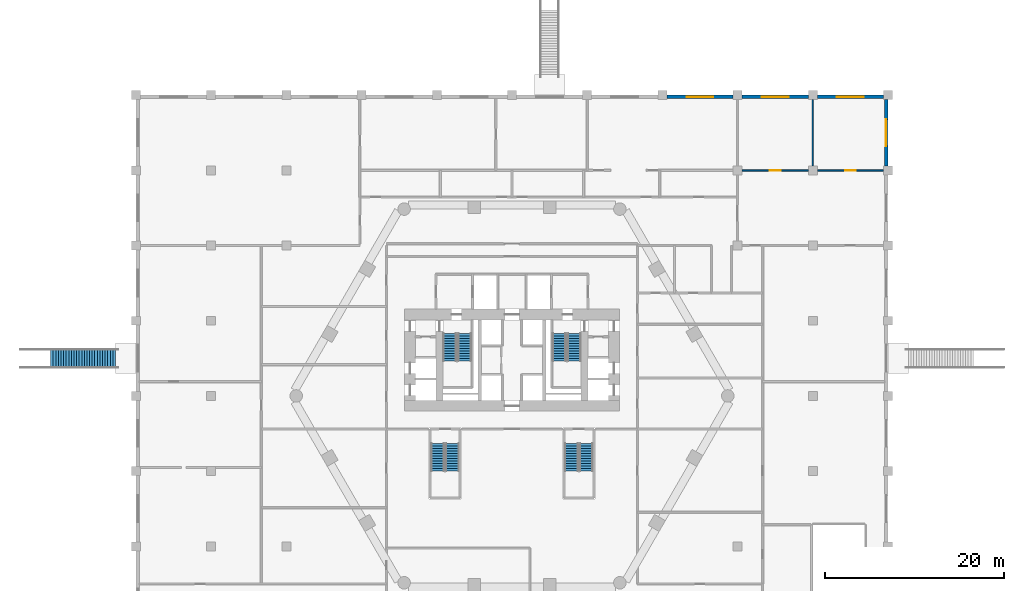
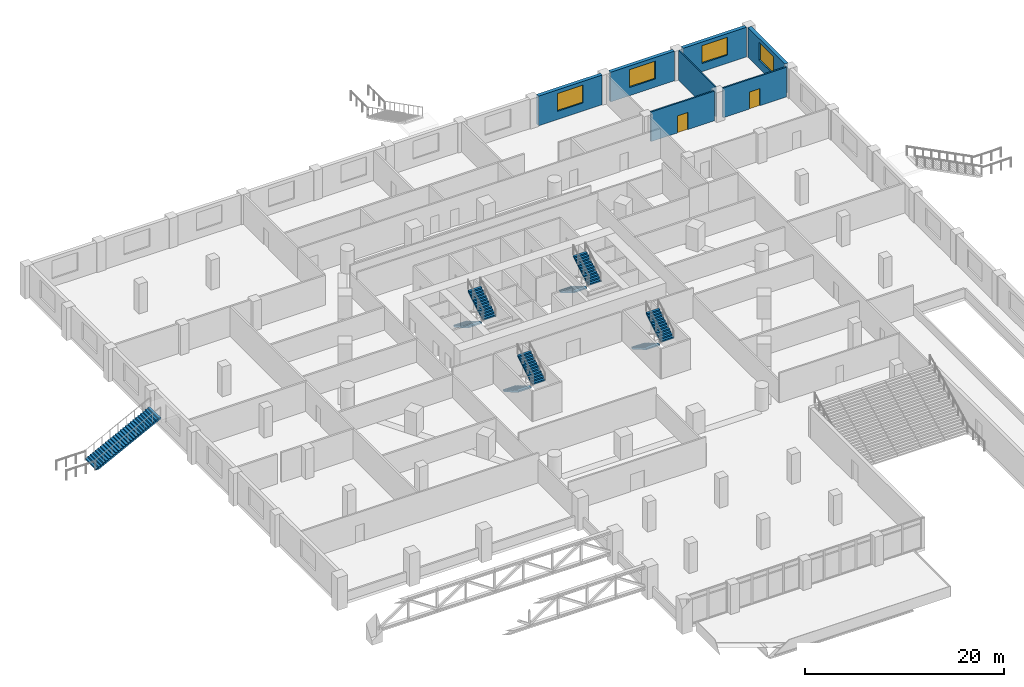
# One storey, part 17 of 24: 9 stair flights, 7 walls, 4 windows, 2 doors, 6 openings, 5 elements without a shape of their own.
"""IFC4 building model written with IfcOpenShell, lengths in metres."""

from ifc_helpers import new_model, si_unit, direction, frame, frame_2d, origin, place, context, subcontext, project, spatial, polyline, rectangle, outline, extrude, material, layer, layer_set, type_object, element, fill, aggregate, save


model = new_model("IFC4")

# Units and contexts
model_context = context("Model", 3, precision=1e-05, world=origin(), true_north=direction((0.0, 1.0)))
body_context = subcontext(model_context, "Body", "Model", "MODEL_VIEW")
ifc_project = project(units=[si_unit("LENGTHUNIT", "METRE"), si_unit("AREAUNIT", "SQUARE_METRE"), si_unit("VOLUMEUNIT", "CUBIC_METRE"), si_unit("PLANEANGLEUNIT", "RADIAN"), si_unit("MASSUNIT", "GRAM", prefix="KILO")], contexts=[model_context])

# Site, building, storey
site_placement = place(None, origin())
site = spatial("IfcSite", under=ifc_project, at=site_placement, CompositionType="ELEMENT")
building_placement = place(site_placement, origin())
building = spatial("IfcBuilding", under=site, at=building_placement, Name="Ostrander Bayou Hotel Tower", CompositionType="ELEMENT")
storey_placement = place(building_placement, frame((0.0, 0.0, 6.0)))
storey = spatial("IfcBuildingStorey", under=building, at=storey_placement, Name="L01", CompositionType="ELEMENT", Elevation=6.0)

# Wall, opening, door
ifc_material_1 = material(Name="Gypsum board partition", Category="finish")
ifc_layer_1 = layer(ifc_material_1, 0.175048828125)
ifc_layer_set_1 = layer_set([ifc_layer_1], Name="PT4 corridor wall 175 mm, 1 hour")
wall_type_1 = type_object("IfcWallType", Name="PT4 corridor wall 175 mm, 1 hour", PredefinedType="PARTITIONING", material=ifc_layer_set_1)
wall_1_placement = place(storey_placement, frame((25.699951171875, 25.199951171875, 0.0), z_axis=(0.0, 0.0, 1.0), x_axis=(1.0, 0.0, 0.0)))
wall_1 = element("IfcWall", 1, at=wall_1_placement, inside=storey, type_object=wall_type_1, Name="sw:L01:015", PredefinedType="PARTITIONING", context=body_context, shape_type="SweptSolid", body=[
    extrude(rectangle(XDim=7.400146484375, YDim=0.175048828125, at=frame_2d((3.7001953125, 0.0))), origin(), (0.0, 0.0, 1.0), 3.64990234375),
])
opening_1_placement = place(wall_1_placement, frame((3.10009765625, 0.0, 0.0)))
opening_1 = element("IfcOpeningElement", 2, at=opening_1_placement, cuts=wall_1, Name="Opening T01-233", PredefinedType="OPENING", context=body_context, shape_type="SweptSolid", body=[
    extrude(rectangle(XDim=1.199951171875, YDim=2.10009765625, at=frame_2d((0.60009765625, 1.050048828125))), frame((0.0, 0.08740234375, 0.0), z_axis=(0.0, -1.0, 0.0), x_axis=(1.0, 0.0, 0.0)), (0.0, 0.0, 1.0), 0.175048828125),
])
ifc_material_2 = material(Name="Timber door leaf", Category="wood")
door_type = type_object("IfcDoorType", Name="D10 plant room door 1200 x 2100 mm, 1 hour", OperationType="SINGLE_SWING_LEFT", PredefinedType="DOOR", material=ifc_material_2)
door_1_placement = place(opening_1_placement, origin())
door_1 = element("IfcDoor", 3, at=door_1_placement, inside=storey, type_object=door_type, Name="dr:L01:233", OperationType="SINGLE_SWING_LEFT", OverallHeight=2.10009765625, OverallWidth=1.199951171875, PredefinedType="DOOR", context=body_context, shape_type="SweptSolid", body=[
    extrude(rectangle(XDim=1.199951171875, YDim=2.10009765625, at=frame_2d((0.60009765625, 1.050048828125))), frame((0.0, 0.02490234375, 0.0), z_axis=(0.0, -1.0, 0.0), x_axis=(1.0, 0.0, 0.0)), (0.0, 0.0, 1.0), 0.050048828125),
])
fill(opening_1, door_1)

wall_2_placement = place(storey_placement, frame((34.10009765625, 25.199951171875, 0.0), z_axis=(0.0, 0.0, 1.0), x_axis=(1.0, 0.0, 0.0)))
wall_2 = element("IfcWall", 4, at=wall_2_placement, inside=storey, type_object=wall_type_1, Name="sw:L01:016", PredefinedType="PARTITIONING", context=body_context, shape_type="SweptSolid", body=[
    extrude(rectangle(XDim=7.39990234375, YDim=0.175048828125, at=frame_2d((3.699951171875, 0.0))), origin(), (0.0, 0.0, 1.0), 3.64990234375),
])
opening_2_placement = place(wall_2_placement, frame((3.10009765625, 0.0, 0.0)))
opening_2 = element("IfcOpeningElement", 5, at=opening_2_placement, cuts=wall_2, Name="Opening T01-234", PredefinedType="OPENING", context=body_context, shape_type="SweptSolid", body=[
    extrude(rectangle(XDim=1.199951171875, YDim=2.10009765625, at=frame_2d((0.60009765625, 1.050048828125))), frame((0.0, 0.08740234375, 0.0), z_axis=(0.0, -1.0, 0.0), x_axis=(1.0, 0.0, 0.0)), (0.0, 0.0, 1.0), 0.175048828125),
])
door_2_placement = place(opening_2_placement, origin())
door_2 = element("IfcDoor", 6, at=door_2_placement, inside=storey, type_object=door_type, Name="dr:L01:234", OperationType="SINGLE_SWING_RIGHT", OverallHeight=2.10009765625, OverallWidth=1.199951171875, PredefinedType="DOOR", context=body_context, shape_type="SweptSolid", body=[
    extrude(rectangle(XDim=1.199951171875, YDim=2.10009765625, at=frame_2d((0.60009765625, 1.050048828125))), frame((0.0, 0.02490234375, 0.0), z_axis=(0.0, -1.0, 0.0), x_axis=(1.0, 0.0, 0.0)), (0.0, 0.0, 1.0), 0.050048828125),
])
fill(opening_2, door_2)

# Wall
ifc_material_3 = material(Name="Gypsum board partition", Category="finish")
ifc_layer_2 = layer(ifc_material_3, 0.14990234375)
ifc_layer_set_2 = layer_set([ifc_layer_2], Name="PT7 riser wall 150 mm, 2 hour")
wall_type_2 = type_object("IfcWallType", Name="PT7 riser wall 150 mm, 2 hour", PredefinedType="PARTITIONING", material=ifc_layer_set_2)
wall_3_placement = place(storey_placement, frame((33.60009765625, 25.699951171875, 0.0), z_axis=(0.0, 0.0, 1.0), x_axis=(0.0, 1.0, 0.0)))
element("IfcWall", 7, at=wall_3_placement, inside=storey, type_object=wall_type_2, Name="sw:L01:057", PredefinedType="PARTITIONING", context=body_context, shape_type="SweptSolid", body=[
    extrude(rectangle(XDim=7.400146484375, YDim=0.14990234375, at=frame_2d((3.7001953125, 0.0))), origin(), (0.0, 0.0, 1.0), 3.64990234375),
])

# Wall, opening, window
ifc_material_4 = material(Name="Reconstituted stone on masonry backing", Category="masonry")
ifc_layer_3 = layer(ifc_material_4, 0.39990234375)
ifc_layer_set_3 = layer_set([ifc_layer_3], Name="PW1 stone cladding wall 400 mm")
wall_type_3 = type_object("IfcWallType", Name="PW1 stone cladding wall 400 mm", PredefinedType="SOLIDWALL", material=ifc_layer_set_3)
wall_4_placement = place(storey_placement, frame((41.800048828125, 33.10009765625, 0.0), z_axis=(0.0, 0.0, 1.0), x_axis=(0.0, -1.0, 0.0)))
wall_4 = element("IfcWall", 8, at=wall_4_placement, inside=storey, type_object=wall_type_3, Name="pw:L01:9", PredefinedType="SOLIDWALL", context=body_context, shape_type="SweptSolid", body=[
    extrude(rectangle(XDim=7.400146484375, YDim=0.39990234375, at=frame_2d((3.7001953125, 0.0))), origin(), (0.0, 0.0, 1.0), 3.64990234375),
])
opening_3_placement = place(wall_4_placement, frame((2.199951171875, 0.0, 1.0)))
opening_3 = element("IfcOpeningElement", 9, at=opening_3_placement, cuts=wall_4, Name="Opening W6", PredefinedType="OPENING", context=body_context, shape_type="SweptSolid", body=[
    extrude(rectangle(XDim=3.0, YDim=2.199951171875, at=frame_2d((1.5, 1.10009765625))), frame((0.0, 0.199951171875, 0.0), z_axis=(0.0, -1.0, 0.0), x_axis=(1.0, 0.0, 0.0)), (0.0, 0.0, 1.0), 0.39990234375),
])
ifc_material_5 = material(Name="Aluminium and clear glass", Category="aluminium")
window_type = type_object("IfcWindowType", Name="W6 podium window 3000 mm", PartitioningType="SINGLE_PANEL", PredefinedType="WINDOW", material=ifc_material_5)
window_1_placement = place(opening_3_placement, origin())
window_1 = element("IfcWindow", 10, at=window_1_placement, inside=storey, type_object=window_type, Name="W6 L01 9", OverallHeight=2.199951171875, OverallWidth=3.0, PartitioningType="SINGLE_PANEL", PredefinedType="WINDOW", context=body_context, shape_type="SweptSolid", body=[
    extrude(rectangle(XDim=3.0, YDim=2.199951171875, at=frame_2d((1.5, 1.10009765625))), frame((0.0, 0.030029296875, 0.0), z_axis=(0.0, -1.0, 0.0), x_axis=(1.0, 0.0, 0.0)), (0.0, 0.0, 1.0), 0.06005859375),
])
fill(opening_3, window_1)

wall_5_placement = place(storey_placement, frame((17.300048828125, 33.39990234375, 0.0), z_axis=(0.0, 0.0, 1.0), x_axis=(1.0, 0.0, 0.0)))
wall_5 = element("IfcWall", 11, at=wall_5_placement, inside=storey, type_object=wall_type_3, Name="pw:L01:26", PredefinedType="SOLIDWALL", context=body_context, shape_type="SweptSolid", body=[
    extrude(rectangle(XDim=7.39990234375, YDim=0.39990234375, at=frame_2d((3.699951171875, 0.0))), origin(), (0.0, 0.0, 1.0), 3.64990234375),
])
opening_4_placement = place(wall_5_placement, frame((2.199951171875, 0.0, 1.0)))
opening_4 = element("IfcOpeningElement", 12, at=opening_4_placement, cuts=wall_5, Name="Opening W6", PredefinedType="OPENING", context=body_context, shape_type="SweptSolid", body=[
    extrude(rectangle(XDim=3.0, YDim=2.199951171875, at=frame_2d((1.5, 1.10009765625))), frame((0.0, 0.199951171875, 0.0), z_axis=(0.0, -1.0, 0.0), x_axis=(1.0, 0.0, 0.0)), (0.0, 0.0, 1.0), 0.39990234375),
])
window_2_placement = place(opening_4_placement, origin())
window_2 = element("IfcWindow", 13, at=window_2_placement, inside=storey, type_object=window_type, Name="W6 L01 26", OverallHeight=2.199951171875, OverallWidth=3.0, PartitioningType="SINGLE_PANEL", PredefinedType="WINDOW", context=body_context, shape_type="SweptSolid", body=[
    extrude(rectangle(XDim=3.0, YDim=2.199951171875, at=frame_2d((1.5, 1.10009765625))), frame((0.0, 0.030029296875, 0.0), z_axis=(0.0, -1.0, 0.0), x_axis=(1.0, 0.0, 0.0)), (0.0, 0.0, 1.0), 0.06005859375),
])
fill(opening_4, window_2)

wall_6_placement = place(storey_placement, frame((25.699951171875, 33.39990234375, 0.0), z_axis=(0.0, 0.0, 1.0), x_axis=(1.0, 0.0, 0.0)))
wall_6 = element("IfcWall", 14, at=wall_6_placement, inside=storey, type_object=wall_type_3, Name="pw:L01:27", PredefinedType="SOLIDWALL", context=body_context, shape_type="SweptSolid", body=[
    extrude(rectangle(XDim=7.400146484375, YDim=0.39990234375, at=frame_2d((3.7001953125, 0.0))), origin(), (0.0, 0.0, 1.0), 3.64990234375),
])
opening_5_placement = place(wall_6_placement, frame((2.199951171875, 0.0, 1.0)))
opening_5 = element("IfcOpeningElement", 15, at=opening_5_placement, cuts=wall_6, Name="Opening W6", PredefinedType="OPENING", context=body_context, shape_type="SweptSolid", body=[
    extrude(rectangle(XDim=3.0, YDim=2.199951171875, at=frame_2d((1.5, 1.10009765625))), frame((0.0, 0.199951171875, 0.0), z_axis=(0.0, -1.0, 0.0), x_axis=(1.0, 0.0, 0.0)), (0.0, 0.0, 1.0), 0.39990234375),
])
window_3_placement = place(opening_5_placement, origin())
window_3 = element("IfcWindow", 16, at=window_3_placement, inside=storey, type_object=window_type, Name="W6 L01 27", OverallHeight=2.199951171875, OverallWidth=3.0, PartitioningType="SINGLE_PANEL", PredefinedType="WINDOW", context=body_context, shape_type="SweptSolid", body=[
    extrude(rectangle(XDim=3.0, YDim=2.199951171875, at=frame_2d((1.5, 1.10009765625))), frame((0.0, 0.030029296875, 0.0), z_axis=(0.0, -1.0, 0.0), x_axis=(1.0, 0.0, 0.0)), (0.0, 0.0, 1.0), 0.06005859375),
])
fill(opening_5, window_3)

wall_7_placement = place(storey_placement, frame((34.10009765625, 33.39990234375, 0.0), z_axis=(0.0, 0.0, 1.0), x_axis=(1.0, 0.0, 0.0)))
wall_7 = element("IfcWall", 17, at=wall_7_placement, inside=storey, type_object=wall_type_3, Name="pw:L01:28", PredefinedType="SOLIDWALL", context=body_context, shape_type="SweptSolid", body=[
    extrude(rectangle(XDim=7.39990234375, YDim=0.39990234375, at=frame_2d((3.699951171875, 0.0))), origin(), (0.0, 0.0, 1.0), 3.64990234375),
])
opening_6_placement = place(wall_7_placement, frame((2.199951171875, 0.0, 1.0)))
opening_6 = element("IfcOpeningElement", 18, at=opening_6_placement, cuts=wall_7, Name="Opening W6", PredefinedType="OPENING", context=body_context, shape_type="SweptSolid", body=[
    extrude(rectangle(XDim=3.0, YDim=2.199951171875, at=frame_2d((1.5, 1.10009765625))), frame((0.0, 0.199951171875, 0.0), z_axis=(0.0, -1.0, 0.0), x_axis=(1.0, 0.0, 0.0)), (0.0, 0.0, 1.0), 0.39990234375),
])
window_4_placement = place(opening_6_placement, origin())
window_4 = element("IfcWindow", 19, at=window_4_placement, inside=storey, type_object=window_type, Name="W6 L01 28", OverallHeight=2.199951171875, OverallWidth=3.0, PartitioningType="SINGLE_PANEL", PredefinedType="WINDOW", context=body_context, shape_type="SweptSolid", body=[
    extrude(rectangle(XDim=3.0, YDim=2.199951171875, at=frame_2d((1.5, 1.10009765625))), frame((0.0, 0.030029296875, 0.0), z_axis=(0.0, -1.0, 0.0), x_axis=(1.0, 0.0, 0.0)), (0.0, 0.0, 1.0), 0.06005859375),
])
fill(opening_6, window_4)

# Stair, stair flights
ifc_material_6 = material(Name="Concrete f'c 45 MPa", Category="concrete")
stair_type_1 = type_object("IfcStairType", Name="ST1 exit stair 1500 mm f'c 45 MPa", PredefinedType="HALF_TURN_STAIR", material=ifc_material_6)
stair_1_placement = place(storey_placement, origin())
stair_1 = element("IfcStair", 20, at=stair_1_placement, inside=storey, type_object=stair_type_1, Name="L01 exit stair A", PredefinedType="HALF_TURN_STAIR")
ifc_material_7 = material(Name="Concrete f'c 45 MPa", Category="concrete")
stair_flight_type_1 = type_object("IfcStairFlightType", Name="SF1 stair flight 1500 mm f'c 45 MPa", PredefinedType="STRAIGHT", material=ifc_material_7)
stair_flight_1_placement = place(storey_placement, frame((-6.949951171875, 7.0, 0.0), z_axis=(0.0, 0.0, 1.0), x_axis=(0.0, -1.0, 0.0)))
stair_flight_1 = element("IfcStairFlight", 21, at=stair_flight_1_placement, type_object=stair_flight_type_1, Name="STA flight 1", NumberOfRisers=12, NumberOfTreads=11, PredefinedType="STRAIGHT", RiserHeight=0.166666667, TreadLength=0.28, context=body_context, shape_type="SweptSolid", body=[
    extrude(outline(polyline([(0.0, 0.0), (0.0, 0.166748046875), (0.280029296875, 0.166748046875), (0.280029296875, 0.333251953125), (0.56005859375, 0.333251953125), (0.56005859375, 0.5), (0.840087890625, 0.5), (0.840087890625, 0.666748046875), (1.1201171875, 0.666748046875), (1.1201171875, 0.833251953125), (1.39990234375, 0.833251953125), (1.39990234375, 1.0), (1.679931640625, 1.0), (1.679931640625, 1.166748046875), (1.9599609375, 1.166748046875), (1.9599609375, 1.333251953125), (2.239990234375, 1.333251953125), (2.239990234375, 1.5), (2.52001953125, 1.5), (2.52001953125, 1.666748046875), (2.800048828125, 1.666748046875), (2.800048828125, 1.833251953125), (3.080078125, 1.833251953125), (3.080078125, 2.0), (3.080078125, 1.658935546875), (0.29296875, 0.0), (0.0, 0.0)])), frame((0.0, 0.75, 0.0), z_axis=(0.0, -1.0, 0.0), x_axis=(1.0, 0.0, 0.0)), (0.0, 0.0, 1.0), 1.5),
])
stair_flight_2_placement = place(storey_placement, frame((-5.300048828125, 3.919921875, 2.0), z_axis=(0.0, 0.0, 1.0), x_axis=(0.0, 1.0, 0.0)))
stair_flight_2 = element("IfcStairFlight", 22, at=stair_flight_2_placement, type_object=stair_flight_type_1, Name="STA flight 2", NumberOfRisers=12, NumberOfTreads=11, PredefinedType="STRAIGHT", RiserHeight=0.166666667, TreadLength=0.28, context=body_context, shape_type="SweptSolid", body=[
    extrude(outline(polyline([(0.0, 0.0), (0.0, 0.166748046875), (0.280029296875, 0.166748046875), (0.280029296875, 0.333251953125), (0.56005859375, 0.333251953125), (0.56005859375, 0.5), (0.840087890625, 0.5), (0.840087890625, 0.666748046875), (1.1201171875, 0.666748046875), (1.1201171875, 0.833251953125), (1.39990234375, 0.833251953125), (1.39990234375, 1.0), (1.679931640625, 1.0), (1.679931640625, 1.166748046875), (1.9599609375, 1.166748046875), (1.9599609375, 1.333251953125), (2.239990234375, 1.333251953125), (2.239990234375, 1.5), (2.52001953125, 1.5), (2.52001953125, 1.666748046875), (2.800048828125, 1.666748046875), (2.800048828125, 1.833251953125), (3.080078125, 1.833251953125), (3.080078125, 2.0), (3.080078125, 1.658935546875), (0.29296875, 0.0), (0.0, 0.0)])), frame((0.0, 0.75, 0.0), z_axis=(0.0, -1.0, 0.0), x_axis=(1.0, 0.0, 0.0)), (0.0, 0.0, 1.0), 1.5),
])
aggregate(stair_1, [stair_flight_1, stair_flight_2])

stair_2_placement = place(storey_placement, origin())
stair_2 = element("IfcStair", 23, at=stair_2_placement, inside=storey, type_object=stair_type_1, Name="L01 exit stair B", PredefinedType="HALF_TURN_STAIR")
stair_flight_3_placement = place(storey_placement, frame((5.300048828125, 7.0, 0.0), z_axis=(0.0, 0.0, 1.0), x_axis=(0.0, -1.0, 0.0)))
stair_flight_3 = element("IfcStairFlight", 24, at=stair_flight_3_placement, type_object=stair_flight_type_1, Name="STB flight 1", NumberOfRisers=12, NumberOfTreads=11, PredefinedType="STRAIGHT", RiserHeight=0.166666667, TreadLength=0.28, context=body_context, shape_type="SweptSolid", body=[
    extrude(outline(polyline([(0.0, 0.0), (0.0, 0.166748046875), (0.280029296875, 0.166748046875), (0.280029296875, 0.333251953125), (0.56005859375, 0.333251953125), (0.56005859375, 0.5), (0.840087890625, 0.5), (0.840087890625, 0.666748046875), (1.1201171875, 0.666748046875), (1.1201171875, 0.833251953125), (1.39990234375, 0.833251953125), (1.39990234375, 1.0), (1.679931640625, 1.0), (1.679931640625, 1.166748046875), (1.9599609375, 1.166748046875), (1.9599609375, 1.333251953125), (2.239990234375, 1.333251953125), (2.239990234375, 1.5), (2.52001953125, 1.5), (2.52001953125, 1.666748046875), (2.800048828125, 1.666748046875), (2.800048828125, 1.833251953125), (3.080078125, 1.833251953125), (3.080078125, 2.0), (3.080078125, 1.658935546875), (0.29296875, 0.0), (0.0, 0.0)])), frame((0.0, 0.75, 0.0), z_axis=(0.0, -1.0, 0.0), x_axis=(1.0, 0.0, 0.0)), (0.0, 0.0, 1.0), 1.5),
])
stair_flight_4_placement = place(storey_placement, frame((6.949951171875, 3.919921875, 2.0), z_axis=(0.0, 0.0, 1.0), x_axis=(0.0, 1.0, 0.0)))
stair_flight_4 = element("IfcStairFlight", 25, at=stair_flight_4_placement, type_object=stair_flight_type_1, Name="STB flight 2", NumberOfRisers=12, NumberOfTreads=11, PredefinedType="STRAIGHT", RiserHeight=0.166666667, TreadLength=0.28, context=body_context, shape_type="SweptSolid", body=[
    extrude(outline(polyline([(0.0, 0.0), (0.0, 0.166748046875), (0.280029296875, 0.166748046875), (0.280029296875, 0.333251953125), (0.56005859375, 0.333251953125), (0.56005859375, 0.5), (0.840087890625, 0.5), (0.840087890625, 0.666748046875), (1.1201171875, 0.666748046875), (1.1201171875, 0.833251953125), (1.39990234375, 0.833251953125), (1.39990234375, 1.0), (1.679931640625, 1.0), (1.679931640625, 1.166748046875), (1.9599609375, 1.166748046875), (1.9599609375, 1.333251953125), (2.239990234375, 1.333251953125), (2.239990234375, 1.5), (2.52001953125, 1.5), (2.52001953125, 1.666748046875), (2.800048828125, 1.666748046875), (2.800048828125, 1.833251953125), (3.080078125, 1.833251953125), (3.080078125, 2.0), (3.080078125, 1.658935546875), (0.29296875, 0.0), (0.0, 0.0)])), frame((0.0, 0.75, 0.0), z_axis=(0.0, -1.0, 0.0), x_axis=(1.0, 0.0, 0.0)), (0.0, 0.0, 1.0), 1.5),
])
aggregate(stair_2, [stair_flight_3, stair_flight_4])

stair_3_placement = place(storey_placement, origin())
stair_3 = element("IfcStair", 26, at=stair_3_placement, inside=storey, type_object=stair_type_1, Name="L01 exit stair C", PredefinedType="HALF_TURN_STAIR")
stair_flight_5_placement = place(storey_placement, frame((6.64990234375, -5.300048828125, 0.0), z_axis=(0.0, 0.0, 1.0), x_axis=(0.0, -1.0, 0.0)))
stair_flight_5 = element("IfcStairFlight", 27, at=stair_flight_5_placement, type_object=stair_flight_type_1, Name="STC flight 1", NumberOfRisers=12, NumberOfTreads=11, PredefinedType="STRAIGHT", RiserHeight=0.166666667, TreadLength=0.28, context=body_context, shape_type="SweptSolid", body=[
    extrude(outline(polyline([(0.0, 0.0), (0.0, 0.166748046875), (0.280029296875, 0.166748046875), (0.280029296875, 0.333251953125), (0.56005859375, 0.333251953125), (0.56005859375, 0.5), (0.840087890625, 0.5), (0.840087890625, 0.666748046875), (1.1201171875, 0.666748046875), (1.1201171875, 0.833251953125), (1.39990234375, 0.833251953125), (1.39990234375, 1.0), (1.679931640625, 1.0), (1.679931640625, 1.166748046875), (1.9599609375, 1.166748046875), (1.9599609375, 1.333251953125), (2.239990234375, 1.333251953125), (2.239990234375, 1.5), (2.52001953125, 1.5), (2.52001953125, 1.666748046875), (2.800048828125, 1.666748046875), (2.800048828125, 1.833251953125), (3.080078125, 1.833251953125), (3.080078125, 2.0), (3.080078125, 1.658935546875), (0.29296875, 0.0), (0.0, 0.0)])), frame((0.0, 0.75, 0.0), z_axis=(0.0, -1.0, 0.0), x_axis=(1.0, 0.0, 0.0)), (0.0, 0.0, 1.0), 1.5),
])
stair_flight_6_placement = place(storey_placement, frame((8.300048828125, -8.3798828125, 2.0), z_axis=(0.0, 0.0, 1.0), x_axis=(0.0, 1.0, 0.0)))
stair_flight_6 = element("IfcStairFlight", 28, at=stair_flight_6_placement, type_object=stair_flight_type_1, Name="STC flight 2", NumberOfRisers=12, NumberOfTreads=11, PredefinedType="STRAIGHT", RiserHeight=0.166666667, TreadLength=0.28, context=body_context, shape_type="SweptSolid", body=[
    extrude(outline(polyline([(0.0, 0.0), (0.0, 0.166748046875), (0.280029296875, 0.166748046875), (0.280029296875, 0.333251953125), (0.56005859375, 0.333251953125), (0.56005859375, 0.5), (0.840087890625, 0.5), (0.840087890625, 0.666748046875), (1.1201171875, 0.666748046875), (1.1201171875, 0.833251953125), (1.39990234375, 0.833251953125), (1.39990234375, 1.0), (1.679931640625, 1.0), (1.679931640625, 1.166748046875), (1.9599609375, 1.166748046875), (1.9599609375, 1.333251953125), (2.239990234375, 1.333251953125), (2.239990234375, 1.5), (2.52001953125, 1.5), (2.52001953125, 1.666748046875), (2.800048828125, 1.666748046875), (2.800048828125, 1.833251953125), (3.080078125, 1.833251953125), (3.080078125, 2.0), (3.080078125, 1.658935546875), (0.29296875, 0.0), (0.0, 0.0)])), frame((0.0, 0.75, 0.0), z_axis=(0.0, -1.0, 0.0), x_axis=(1.0, 0.0, 0.0)), (0.0, 0.0, 1.0), 1.5),
])
aggregate(stair_3, [stair_flight_5, stair_flight_6])

stair_4_placement = place(storey_placement, origin())
stair_4 = element("IfcStair", 29, at=stair_4_placement, inside=storey, type_object=stair_type_1, Name="L01 exit stair D", PredefinedType="HALF_TURN_STAIR")
stair_flight_7_placement = place(storey_placement, frame((-8.300048828125, -5.300048828125, 0.0), z_axis=(0.0, 0.0, 1.0), x_axis=(0.0, -1.0, 0.0)))
stair_flight_7 = element("IfcStairFlight", 30, at=stair_flight_7_placement, type_object=stair_flight_type_1, Name="STD flight 1", NumberOfRisers=12, NumberOfTreads=11, PredefinedType="STRAIGHT", RiserHeight=0.166666667, TreadLength=0.28, context=body_context, shape_type="SweptSolid", body=[
    extrude(outline(polyline([(0.0, 0.0), (0.0, 0.166748046875), (0.280029296875, 0.166748046875), (0.280029296875, 0.333251953125), (0.56005859375, 0.333251953125), (0.56005859375, 0.5), (0.840087890625, 0.5), (0.840087890625, 0.666748046875), (1.1201171875, 0.666748046875), (1.1201171875, 0.833251953125), (1.39990234375, 0.833251953125), (1.39990234375, 1.0), (1.679931640625, 1.0), (1.679931640625, 1.166748046875), (1.9599609375, 1.166748046875), (1.9599609375, 1.333251953125), (2.239990234375, 1.333251953125), (2.239990234375, 1.5), (2.52001953125, 1.5), (2.52001953125, 1.666748046875), (2.800048828125, 1.666748046875), (2.800048828125, 1.833251953125), (3.080078125, 1.833251953125), (3.080078125, 2.0), (3.080078125, 1.658935546875), (0.29296875, 0.0), (0.0, 0.0)])), frame((0.0, 0.75, 0.0), z_axis=(0.0, -1.0, 0.0), x_axis=(1.0, 0.0, 0.0)), (0.0, 0.0, 1.0), 1.5),
])
stair_flight_8_placement = place(storey_placement, frame((-6.64990234375, -8.3798828125, 2.0), z_axis=(0.0, 0.0, 1.0), x_axis=(0.0, 1.0, 0.0)))
stair_flight_8 = element("IfcStairFlight", 31, at=stair_flight_8_placement, type_object=stair_flight_type_1, Name="STD flight 2", NumberOfRisers=12, NumberOfTreads=11, PredefinedType="STRAIGHT", RiserHeight=0.166666667, TreadLength=0.28, context=body_context, shape_type="SweptSolid", body=[
    extrude(outline(polyline([(0.0, 0.0), (0.0, 0.166748046875), (0.280029296875, 0.166748046875), (0.280029296875, 0.333251953125), (0.56005859375, 0.333251953125), (0.56005859375, 0.5), (0.840087890625, 0.5), (0.840087890625, 0.666748046875), (1.1201171875, 0.666748046875), (1.1201171875, 0.833251953125), (1.39990234375, 0.833251953125), (1.39990234375, 1.0), (1.679931640625, 1.0), (1.679931640625, 1.166748046875), (1.9599609375, 1.166748046875), (1.9599609375, 1.333251953125), (2.239990234375, 1.333251953125), (2.239990234375, 1.5), (2.52001953125, 1.5), (2.52001953125, 1.666748046875), (2.800048828125, 1.666748046875), (2.800048828125, 1.833251953125), (3.080078125, 1.833251953125), (3.080078125, 2.0), (3.080078125, 1.658935546875), (0.29296875, 0.0), (0.0, 0.0)])), frame((0.0, 0.75, 0.0), z_axis=(0.0, -1.0, 0.0), x_axis=(1.0, 0.0, 0.0)), (0.0, 0.0, 1.0), 1.5),
])
aggregate(stair_4, [stair_flight_7, stair_flight_8])

# Stair, stair flight
ifc_material_8 = material(Name="Concrete f'c 40 MPa", Category="concrete")
stair_type_2 = type_object("IfcStairType", Name="ST11 deck stair 2200 mm", PredefinedType="STRAIGHT_RUN_STAIR", material=ifc_material_8)
stair_5_placement = place(storey_placement, origin())
stair_5 = element("IfcStair", 32, at=stair_5_placement, inside=storey, type_object=stair_type_2, Name="ST11 deck stair W", PredefinedType="STRAIGHT_RUN_STAIR")
ifc_material_9 = material(Name="Concrete f'c 40 MPa", Category="concrete")
stair_flight_type_2 = type_object("IfcStairFlightType", Name="ST11 deck stair flight 2200 mm", PredefinedType="STRAIGHT", material=ifc_material_9)
stair_flight_9_placement = place(storey_placement, frame((-51.5400390625, 4.199951171875, 0.0), z_axis=(0.0, 0.0, 1.0), x_axis=(1.0, 0.0, 0.0)))
stair_flight_9 = element("IfcStairFlight", 33, at=stair_flight_9_placement, type_object=stair_flight_type_2, Name="ST11 flight 1", NumberOfRisers=27, NumberOfTreads=26, PredefinedType="STRAIGHT", RiserHeight=0.148148148, TreadLength=0.29, context=body_context, shape_type="SweptSolid", body=[
    extrude(outline(polyline([(0.0, 0.0), (0.0, 0.148193359375), (0.2900390625, 0.148193359375), (0.2900390625, 0.29638671875), (0.580078125, 0.29638671875), (0.580078125, 0.4443359375), (0.8701171875, 0.4443359375), (0.8701171875, 0.592529296875), (1.159912109375, 0.592529296875), (1.159912109375, 0.74072265625), (1.449951171875, 0.74072265625), (1.449951171875, 0.888916015625), (1.739990234375, 0.888916015625), (1.739990234375, 1.037109375), (2.030029296875, 1.037109375), (2.030029296875, 1.185302734375), (2.320068359375, 1.185302734375), (2.320068359375, 1.333251953125), (2.610107421875, 1.333251953125), (2.610107421875, 1.4814453125), (2.89990234375, 1.4814453125), (2.89990234375, 1.629638671875), (3.18994140625, 1.629638671875), (3.18994140625, 1.77783203125), (3.47998046875, 1.77783203125), (3.47998046875, 1.926025390625), (3.77001953125, 1.926025390625), (3.77001953125, 2.073974609375), (4.06005859375, 2.073974609375), (4.06005859375, 2.22216796875), (4.35009765625, 2.22216796875), (4.35009765625, 2.370361328125), (4.639892578125, 2.370361328125), (4.639892578125, 2.5185546875), (4.929931640625, 2.5185546875), (4.929931640625, 2.666748046875), (5.219970703125, 2.666748046875), (5.219970703125, 2.814697265625), (5.510009765625, 2.814697265625), (5.510009765625, 2.962890625), (5.800048828125, 2.962890625), (5.800048828125, 3.111083984375), (6.090087890625, 3.111083984375), (6.090087890625, 3.25927734375), (6.3798828125, 3.25927734375), (6.3798828125, 3.407470703125), (6.669921875, 3.407470703125), (6.669921875, 3.5556640625), (6.9599609375, 3.5556640625), (6.9599609375, 3.70361328125), (7.25, 3.70361328125), (7.25, 3.851806640625), (7.5400390625, 3.851806640625), (7.5400390625, 4.0), (7.5400390625, 3.68359375), (0.32958984375, 0.0), (0.0, 0.0)])), frame((0.0, 1.10009765625, 0.0), z_axis=(0.0, -1.0, 0.0), x_axis=(1.0, 0.0, 0.0)), (0.0, 0.0, 1.0), 2.199951171875),
])
aggregate(stair_5, [stair_flight_9])

save(model, "model.ifc")
